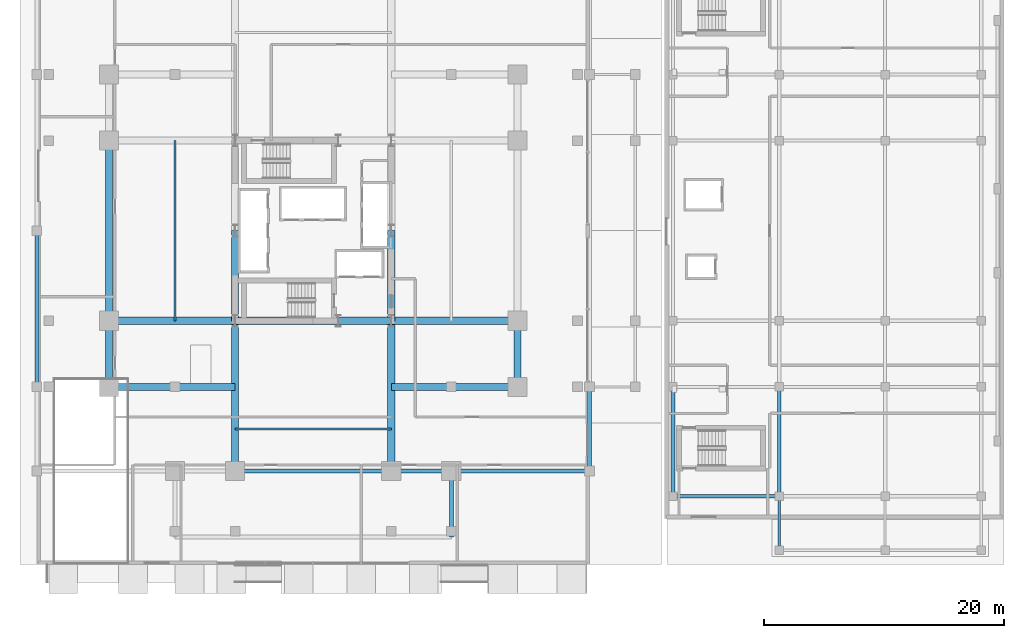
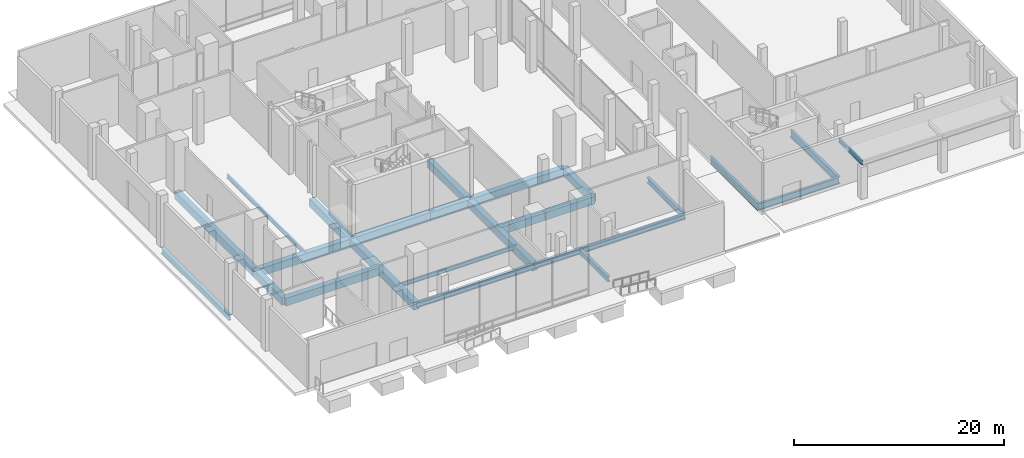
# One storey, part 8 of 34: 27 beams.
"""IFC4 building model written with IfcOpenShell, lengths in metres."""

from ifc_helpers import new_model, si_unit, direction, frame, origin, origin_2d, place, context, subcontext, project, spatial, rectangle, i_section, extrude, material, material_profile, profile_set, type_object, element, save


model = new_model("IFC4")

# Units and contexts
model_context = context("Model", 3, precision=1e-05, world=origin(), true_north=direction((0.0, 1.0)))
body_context = subcontext(model_context, "Body", "Model", "MODEL_VIEW")
ifc_project = project(units=[si_unit("LENGTHUNIT", "METRE"), si_unit("AREAUNIT", "SQUARE_METRE"), si_unit("VOLUMEUNIT", "CUBIC_METRE"), si_unit("PLANEANGLEUNIT", "RADIAN"), si_unit("MASSUNIT", "GRAM", prefix="KILO")], contexts=[model_context])

# Site, building, storey
site_placement = place(None, origin())
site = spatial("IfcSite", under=ifc_project, at=site_placement, CompositionType="ELEMENT")
building_placement = place(site_placement, origin())
building = spatial("IfcBuilding", under=site, at=building_placement, Name="Barlavira Tower and Art Museum", CompositionType="ELEMENT")
storey_placement = place(building_placement, origin())
storey = spatial("IfcBuildingStorey", under=building, at=storey_placement, Name="L00", CompositionType="ELEMENT", Elevation=0.0)

# Beams
ifc_material_1 = material(Name="Steel S355", Category="steel")
ifc_material_profile_1 = material_profile(ifc_material_1, i_section(OverallWidth=0.194091796875, OverallDepth=0.468994140625, WebThickness=0.0126953125, FlangeThickness=0.0205078125, at=origin_2d()), Name="W460x106.0")
ifc_profile_set_1 = profile_set([ifc_material_profile_1], Name="Steel S355")
beam_type_1 = type_object("IfcBeamType", Name="Covered Arcade Roof Girder W460x106 Steel S355", PredefinedType="BEAM", material=ifc_profile_set_1)
beam_1_placement = place(storey_placement, frame((38.800048828125, -26.60009765625, 3.965576171875), z_axis=(0.0, 1.0, 0.0), x_axis=(-1.0, 0.0, 0.0)))
element("IfcBeam", 1, at=beam_1_placement, inside=storey, type_object=beam_type_1, Name="L00 S Pergola Tie Beam 1", PredefinedType="BEAM", context=body_context, shape_type="SweptSolid", body=[
    extrude(i_section(OverallWidth=0.194091796875, OverallDepth=0.468994140625, WebThickness=0.0126953125, FlangeThickness=0.0205078125, at=origin_2d()), origin(), (0.0, 0.0, 1.0), 4.5),
])
ifc_material_profile_2 = material_profile(ifc_material_1, i_section(OverallWidth=0.2939453125, OverallDepth=0.85107421875, WebThickness=0.017333984375, FlangeThickness=0.0283203125, at=origin_2d()), Name="W840x251.0")
ifc_profile_set_2 = profile_set([ifc_material_profile_2], Name="Steel S355")
beam_type_2 = type_object("IfcBeamType", Name="Museum Auditorium Heavy Girder W840x251 Steel S355", PredefinedType="BEAM", material=ifc_profile_set_2)
for number, where, z_axis, x_axis, name in (
    (2, (29.949951171875, -22.10009765625, -0.775390625), (0.0, 1.0, 0.0), (-1.0, 0.0, 0.0), "L00 Museum Girder Y 1-1"),
    (3, (38.800048828125, -22.10009765625, -0.775390625), (0.0, 1.0, 0.0), (-1.0, 0.0, 0.0), "L00 Museum Girder Y 2-1"),
):
    element("IfcBeam", number, at=place(storey_placement, frame(where, z_axis=z_axis, x_axis=x_axis)), inside=storey, type_object=beam_type_2, Name=name, PredefinedType="BEAM", context=body_context, shape_type="SweptSolid", body=[
        extrude(i_section(OverallWidth=0.2939453125, OverallDepth=0.85107421875, WebThickness=0.017333984375, FlangeThickness=0.0283203125, at=origin_2d()), origin(), (0.0, 0.0, 1.0), 9.10009765625),
    ])
ifc_material_profile_3 = material_profile(ifc_material_1, i_section(OverallWidth=0.26904296875, OverallDepth=0.76806640625, WebThickness=0.016845703125, FlangeThickness=0.026611328125, at=origin_2d()), Name="W760x220.0")
ifc_profile_set_3 = profile_set([ifc_material_profile_3], Name="Steel S355")
beam_type_3 = type_object("IfcBeamType", Name="Museum Long-Span Gallery Girder W760x220 Steel S355", PredefinedType="BEAM", material=ifc_profile_set_3)
beam_2_placement = place(storey_placement, frame((29.949951171875, -22.10009765625, -0.73388671875), z_axis=(1.0, 0.0, 0.0), x_axis=(0.0, 1.0, 0.0)))
element("IfcBeam", 4, at=beam_2_placement, inside=storey, type_object=beam_type_3, Name="L00 Museum Girder X 1-1", PredefinedType="BEAM", context=body_context, shape_type="SweptSolid", body=[
    extrude(i_section(OverallWidth=0.26904296875, OverallDepth=0.76806640625, WebThickness=0.016845703125, FlangeThickness=0.026611328125, at=origin_2d()), origin(), (0.0, 0.0, 1.0), 8.85009765625),
])
ifc_material_profile_4 = material_profile(ifc_material_1, i_section(OverallWidth=0.327880859375, OverallDepth=0.62890625, WebThickness=0.013916015625, FlangeThickness=0.021484375, at=origin_2d()), Name="W610x174.0")
ifc_profile_set_4 = profile_set([ifc_material_profile_4], Name="Steel S355")
beam_type_4 = type_object("IfcBeamType", Name="Perimeter Spandrel Edge Beam W610x174 Steel S355", PredefinedType="SPANDREL", material=ifc_profile_set_4)
beam_3_placement = place(storey_placement, frame((-6.5, -20.0, -0.66455078125), z_axis=(1.0, 0.0, 0.0), x_axis=(0.0, 1.0, 0.0)))
element("IfcBeam", 5, at=beam_3_placement, inside=storey, type_object=beam_type_4, Name="L00 Podium Spandrel PS3", PredefinedType="SPANDREL", context=body_context, shape_type="SweptSolid", body=[
    extrude(i_section(OverallWidth=0.327880859375, OverallDepth=0.62890625, WebThickness=0.013916015625, FlangeThickness=0.021484375, at=origin_2d()), origin(), (0.0, 0.0, 1.0), 13.0),
])
beam_4_placement = place(storey_placement, frame((6.5, -20.0, -0.66455078125), z_axis=(1.0, 0.0, 0.0), x_axis=(0.0, 1.0, 0.0)))
element("IfcBeam", 6, at=beam_4_placement, inside=storey, type_object=beam_type_4, Name="L00 Podium Spandrel PS4", PredefinedType="SPANDREL", context=body_context, shape_type="SweptSolid", body=[
    extrude(i_section(OverallWidth=0.327880859375, OverallDepth=0.62890625, WebThickness=0.013916015625, FlangeThickness=0.021484375, at=origin_2d()), origin(), (0.0, 0.0, 1.0), 5.0),
])
beam_5_placement = place(storey_placement, frame((11.5, -20.0, -0.66455078125), z_axis=(1.0, 0.0, 0.0), x_axis=(0.0, 1.0, 0.0)))
element("IfcBeam", 7, at=beam_5_placement, inside=storey, type_object=beam_type_4, Name="L00 Podium Spandrel PS5", PredefinedType="SPANDREL", context=body_context, shape_type="SweptSolid", body=[
    extrude(i_section(OverallWidth=0.327880859375, OverallDepth=0.62890625, WebThickness=0.013916015625, FlangeThickness=0.021484375, at=origin_2d()), origin(), (0.0, 0.0, 1.0), 11.5),
])
beam_6_placement = place(storey_placement, frame((-23.0, -13.0, -0.66455078125), z_axis=(0.0, 1.0, 0.0), x_axis=(-1.0, 0.0, 0.0)))
element("IfcBeam", 8, at=beam_6_placement, inside=storey, type_object=beam_type_4, Name="L00 Podium Spandrel PW2", PredefinedType="SPANDREL", context=body_context, shape_type="SweptSolid", body=[
    extrude(i_section(OverallWidth=0.327880859375, OverallDepth=0.62890625, WebThickness=0.013916015625, FlangeThickness=0.021484375, at=origin_2d()), origin(), (0.0, 0.0, 1.0), 13.0),
])
beam_7_placement = place(storey_placement, frame((23.0, -20.0, -0.66455078125), z_axis=(0.0, 1.0, 0.0), x_axis=(-1.0, 0.0, 0.0)))
element("IfcBeam", 9, at=beam_7_placement, inside=storey, type_object=beam_type_4, Name="L00 Podium Spandrel PE1", PredefinedType="SPANDREL", context=body_context, shape_type="SweptSolid", body=[
    extrude(i_section(OverallWidth=0.327880859375, OverallDepth=0.62890625, WebThickness=0.013916015625, FlangeThickness=0.021484375, at=origin_2d()), origin(), (0.0, 0.0, 1.0), 7.0),
])
beam_8_placement = place(storey_placement, frame((11.5, -25.5, -0.66455078125), z_axis=(0.0, 1.0, 0.0), x_axis=(-1.0, 0.0, 0.0)))
element("IfcBeam", 10, at=beam_8_placement, inside=storey, type_object=beam_type_4, Name="L00 SE Cascade Spandrel", PredefinedType="SPANDREL", context=body_context, shape_type="SweptSolid", body=[
    extrude(i_section(OverallWidth=0.327880859375, OverallDepth=0.62890625, WebThickness=0.013916015625, FlangeThickness=0.021484375, at=origin_2d()), origin(), (0.0, 0.0, 1.0), 5.5),
])
ifc_material_profile_5 = material_profile(ifc_material_1, i_section(OverallWidth=0.19189453125, OverallDepth=0.462890625, WebThickness=0.010498046875, FlangeThickness=0.017578125, at=origin_2d()), Name="W460x89.0")
ifc_profile_set_5 = profile_set([ifc_material_profile_5], Name="Steel S355")
beam_type_5 = type_object("IfcBeamType", Name="Podium Floor Joist W460x89 Steel S355", PredefinedType="JOIST", material=ifc_profile_set_5)
beam_9_placement = place(storey_placement, frame((-6.5, -16.5, -0.58154296875), z_axis=(1.0, 0.0, 0.0), x_axis=(0.0, 1.0, 0.0)))
element("IfcBeam", 11, at=beam_9_placement, inside=storey, type_object=beam_type_5, Name="L00 Joist C1", PredefinedType="JOIST", context=body_context, shape_type="SweptSolid", body=[
    extrude(i_section(OverallWidth=0.19189453125, OverallDepth=0.462890625, WebThickness=0.010498046875, FlangeThickness=0.017578125, at=origin_2d()), origin(), (0.0, 0.0, 1.0), 13.0),
])
beam_10_placement = place(storey_placement, frame((-11.5, -7.5, -0.58154296875), z_axis=(0.0, 1.0, 0.0), x_axis=(-1.0, 0.0, 0.0)))
element("IfcBeam", 12, at=beam_10_placement, inside=storey, type_object=beam_type_5, Name="L00 Joist W1", PredefinedType="JOIST", context=body_context, shape_type="SweptSolid", body=[
    extrude(i_section(OverallWidth=0.19189453125, OverallDepth=0.462890625, WebThickness=0.010498046875, FlangeThickness=0.017578125, at=origin_2d()), origin(), (0.0, 0.0, 1.0), 15.0),
])
ifc_material_2 = material(Name="Concrete C50", Category="concrete")
ifc_material_profile_6 = material_profile(ifc_material_2, rectangle(XDim=0.60009765625, YDim=0.89990234375, at=origin_2d()), Name="RC-BM 600x900")
ifc_profile_set_6 = profile_set([ifc_material_profile_6], Name="Concrete C50")
beam_type_6 = type_object("IfcBeamType", Name="Substructure RC Girder 600x900 Concrete C50", PredefinedType="BEAM", material=ifc_profile_set_6)
beam_11_placement = place(storey_placement, frame((-6.5, -7.5, -0.800048828125), z_axis=(1.0, 0.0, 0.0), x_axis=(0.0, 1.0, 0.0)))
element("IfcBeam", 13, at=beam_11_placement, inside=storey, type_object=beam_type_6, Name="L00 Girder C-S1", PredefinedType="BEAM", context=body_context, shape_type="SweptSolid", body=[
    extrude(rectangle(XDim=0.60009765625, YDim=0.89990234375, at=origin_2d()), origin(), (0.0, 0.0, 1.0), 8.580078125),
])
beam_12_placement = place(storey_placement, frame((2.080078125, -7.5, -0.800048828125), z_axis=(1.0, 0.0, 0.0), x_axis=(0.0, 1.0, 0.0)))
element("IfcBeam", 14, at=beam_12_placement, inside=storey, type_object=beam_type_6, Name="L00 Girder C-S2", PredefinedType="BEAM", context=body_context, shape_type="SweptSolid", body=[
    extrude(rectangle(XDim=0.60009765625, YDim=0.89990234375, at=origin_2d()), origin(), (0.0, 0.0, 1.0), 4.419921875),
])
for number, where, z_axis, x_axis, name in (
    (15, (-6.5, -7.5, -0.800048828125), (0.0, 1.0, 0.0), (-1.0, 0.0, 0.0), "L00 Girder C-W1"),
    (16, (6.5, -7.5, -0.800048828125), (0.0, 1.0, 0.0), (-1.0, 0.0, 0.0), "L00 Girder C-E1"),
):
    element("IfcBeam", number, at=place(storey_placement, frame(where, z_axis=z_axis, x_axis=x_axis)), inside=storey, type_object=beam_type_6, Name=name, PredefinedType="BEAM", context=body_context, shape_type="SweptSolid", body=[
        extrude(rectangle(XDim=0.60009765625, YDim=0.89990234375, at=origin_2d()), origin(), (0.0, 0.0, 1.0), 7.5),
    ])
beam_13_placement = place(storey_placement, frame((-17.0, -13.0, -0.800048828125), z_axis=(0.0, 1.0, 0.0), x_axis=(-1.0, 0.0, 0.0)))
element("IfcBeam", 17, at=beam_13_placement, inside=storey, type_object=beam_type_6, Name="L00 Girder M-W1", PredefinedType="BEAM", context=body_context, shape_type="SweptSolid", body=[
    extrude(rectangle(XDim=0.60009765625, YDim=0.89990234375, at=origin_2d()), origin(), (0.0, 0.0, 1.0), 5.5),
])
beam_14_placement = place(storey_placement, frame((-17.0, -7.5, -0.800048828125), z_axis=(0.0, 1.0, 0.0), x_axis=(-1.0, 0.0, 0.0)))
element("IfcBeam", 18, at=beam_14_placement, inside=storey, type_object=beam_type_6, Name="L00 Girder M-W2", PredefinedType="BEAM", context=body_context, shape_type="SweptSolid", body=[
    extrude(rectangle(XDim=0.60009765625, YDim=0.89990234375, at=origin_2d()), origin(), (0.0, 0.0, 1.0), 15.0),
])
beam_15_placement = place(storey_placement, frame((17.0, -13.0, -0.800048828125), z_axis=(0.0, 1.0, 0.0), x_axis=(-1.0, 0.0, 0.0)))
element("IfcBeam", 19, at=beam_15_placement, inside=storey, type_object=beam_type_6, Name="L00 Girder M-E1", PredefinedType="BEAM", context=body_context, shape_type="SweptSolid", body=[
    extrude(rectangle(XDim=0.60009765625, YDim=0.89990234375, at=origin_2d()), origin(), (0.0, 0.0, 1.0), 5.5),
])
for number, where, z_axis, x_axis, name in (
    (20, (-6.5, -20.0, -0.800048828125), (0.0, 1.0, 0.0), (-1.0, 0.0, 0.0), "L00 Girder R-S1"),
    (21, (6.5, -20.0, -0.800048828125), (0.0, 1.0, 0.0), (-1.0, 0.0, 0.0), "L00 Girder R-S2"),
):
    element("IfcBeam", number, at=place(storey_placement, frame(where, z_axis=z_axis, x_axis=x_axis)), inside=storey, type_object=beam_type_6, Name=name, PredefinedType="BEAM", context=body_context, shape_type="SweptSolid", body=[
        extrude(rectangle(XDim=0.60009765625, YDim=0.89990234375, at=origin_2d()), origin(), (0.0, 0.0, 1.0), 12.5),
    ])
for number, where, z_axis, x_axis, name in (
    (22, (-17.0, -7.5, -0.800048828125), (1.0, 0.0, 0.0), (0.0, 1.0, 0.0), "L00 Girder R-W1"),
    (23, (6.5, -7.5, -0.800048828125), (1.0, 0.0, 0.0), (0.0, 1.0, 0.0), "L00 Girder R-E1"),
):
    element("IfcBeam", number, at=place(storey_placement, frame(where, z_axis=z_axis, x_axis=x_axis)), inside=storey, type_object=beam_type_6, Name=name, PredefinedType="BEAM", context=body_context, shape_type="SweptSolid", body=[
        extrude(rectangle(XDim=0.60009765625, YDim=0.89990234375, at=origin_2d()), origin(), (0.0, 0.0, 1.0), 10.5),
    ])
beam_16_placement = place(storey_placement, frame((-17.0, -13.0, -0.800048828125), z_axis=(1.0, 0.0, 0.0), x_axis=(0.0, 1.0, 0.0)))
element("IfcBeam", 24, at=beam_16_placement, inside=storey, type_object=beam_type_6, Name="L00 Girder I-S1", PredefinedType="BEAM", context=body_context, shape_type="SweptSolid", body=[
    extrude(rectangle(XDim=0.60009765625, YDim=0.89990234375, at=origin_2d()), origin(), (0.0, 0.0, 1.0), 5.5),
])
for number, where, z_axis, x_axis, name in (
    (25, (-11.5, -13.0, -0.800048828125), (1.0, 0.0, 0.0), (0.0, 1.0, 0.0), "L00 Girder I-S2"),
    (26, (6.5, -13.0, -0.800048828125), (1.0, 0.0, 0.0), (0.0, 1.0, 0.0), "L00 Girder I-S3"),
):
    element("IfcBeam", number, at=place(storey_placement, frame(where, z_axis=z_axis, x_axis=x_axis)), inside=storey, type_object=beam_type_6, Name=name, PredefinedType="BEAM", context=body_context, shape_type="SweptSolid", body=[
        extrude(rectangle(XDim=0.60009765625, YDim=0.89990234375, at=origin_2d()), origin(), (0.0, 0.0, 1.0), 5.0),
    ])
beam_17_placement = place(storey_placement, frame((11.5, -13.0, -0.800048828125), z_axis=(1.0, 0.0, 0.0), x_axis=(0.0, 1.0, 0.0)))
element("IfcBeam", 27, at=beam_17_placement, inside=storey, type_object=beam_type_6, Name="L00 Girder I-S4", PredefinedType="BEAM", context=body_context, shape_type="SweptSolid", body=[
    extrude(rectangle(XDim=0.60009765625, YDim=0.89990234375, at=origin_2d()), origin(), (0.0, 0.0, 1.0), 5.5),
])

save(model, "model.ifc")
